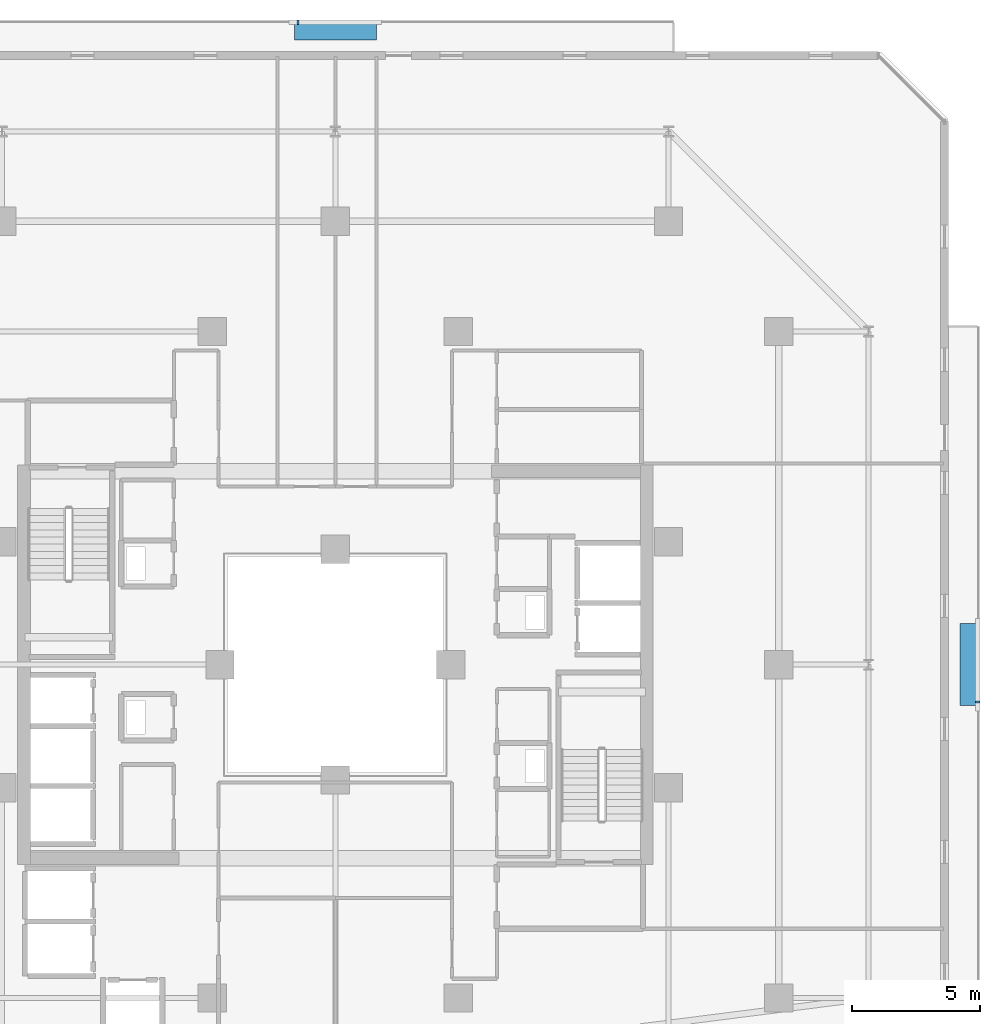
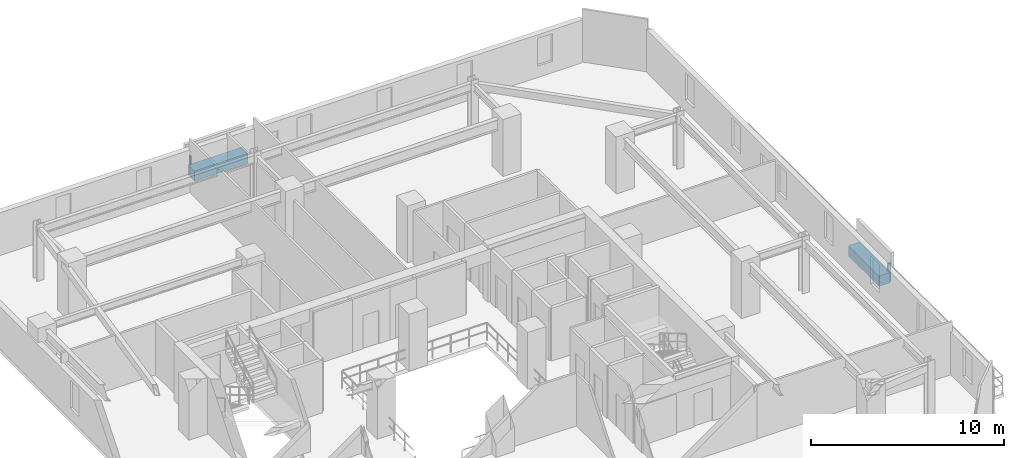
# One storey, part 29 of 33: 4 discrete accessories.
"""IFC4 building model written with IfcOpenShell, lengths in metres."""

import ifcopenshell
import ifcopenshell.guid

model = None  # the IFC model being written
_history = None  # IfcOwnerHistory: only IFC2X3 demands one
_inside = {}  # id of a spatial element -> (the spatial element, [elements in it])
_under = {}  # id of a project, library or spatial element -> (it, [spatial elements below it])
_declared = {}  # id of a project -> (the project, [libraries it declares])
_typed = {}  # id of a type object -> (the type object, [elements of that type])
_made_of = {}  # id of a material, layer set ... -> (it, [elements and type objects made of it])


def new_model(schema):
    """Start an empty IFC model of exactly this schema.

    Asked for "IFC4X3", IfcOpenShell would pick the latest addendum, in which some entities
    have other attributes; the version numbers below select the first issue.
    IFC2X3 requires an IfcOwnerHistory on every rooted entity: one is made here for all.
    """
    global model, _history
    if schema == "IFC4X3":
        model = ifcopenshell.file(schema_version=(4, 3, 0, 0))
    else:
        model = ifcopenshell.file(schema=schema)
    _inside.clear()
    _under.clear()
    _declared.clear()
    _typed.clear()
    _made_of.clear()
    _history = None
    if model.schema == "IFC2X3":
        org = make("IfcOrganization", Name="unknown")
        user = make(
            "IfcPersonAndOrganization",
            ThePerson=make("IfcPerson", FamilyName="unknown"),
            TheOrganization=org,
        )
        app = make(
            "IfcApplication",
            ApplicationDeveloper=org,
            Version="unknown",
            ApplicationFullName="unknown",
            ApplicationIdentifier="unknown",
        )
        _history = make(
            "IfcOwnerHistory",
            OwningUser=user,
            OwningApplication=app,
            ChangeAction="ADDED",
            CreationDate=0,
        )
    return model


def make(cls, **values):
    """One entity of the class cls with the attributes given. An attribute that is None is left unset."""
    return model.create_entity(
        cls, **{name: value for name, value in values.items() if value is not None}
    )


def rooted(cls, **values):
    """An entity with a GlobalId (a new one), such as an element, a storey or a relation."""
    return make(cls, GlobalId=ifcopenshell.guid.new(), OwnerHistory=_history, **values)


def si_unit(unit_type, name, prefix=None):
    """IfcSIUnit, for example si_unit("LENGTHUNIT", "METRE", prefix="MILLI")."""
    return make("IfcSIUnit", UnitType=unit_type, Prefix=prefix, Name=name)


def assignment(units):
    """IfcUnitAssignment: the units of a project."""
    return None if units is None else make("IfcUnitAssignment", Units=units)


def point(xyz):
    """IfcCartesianPoint."""
    return None if xyz is None else make("IfcCartesianPoint", Coordinates=xyz)


def direction(xyz):
    """IfcDirection."""
    return None if xyz is None else make("IfcDirection", DirectionRatios=xyz)


def frame(location, z_axis=None, x_axis=None):
    """IfcAxis2Placement3D, a coordinate frame: its origin and axes. An axis left out is left unset."""
    return make(
        "IfcAxis2Placement3D",
        Location=point(location),
        Axis=direction(z_axis),
        RefDirection=direction(x_axis),
    )


def frame_2d(location, x_axis=None):
    """IfcAxis2Placement2D, a coordinate frame in the plane: its origin and x axis."""
    return make(
        "IfcAxis2Placement2D", Location=point(location), RefDirection=direction(x_axis)
    )


def origin():
    """The frame at (0, 0, 0) with its axes left unset."""
    return frame((0.0, 0.0, 0.0))


def origin_2d():
    """The frame at (0, 0) in the plane with its x axis left unset."""
    return frame_2d((0.0, 0.0))


def place(relative_to, where):
    """IfcLocalPlacement: puts the frame where relative to a parent placement (None: the world)."""
    return make(
        "IfcLocalPlacement", PlacementRelTo=relative_to, RelativePlacement=where
    )


def context(
    kind, dimensions, precision=None, world=None, true_north=None, identifier=None
):
    """IfcGeometricRepresentationContext, for example the 3D "Model" context."""
    return make(
        "IfcGeometricRepresentationContext",
        ContextIdentifier=identifier,
        ContextType=kind,
        CoordinateSpaceDimension=dimensions,
        Precision=precision,
        WorldCoordinateSystem=world,
        TrueNorth=true_north,
    )


def subcontext(parent, identifier, kind, view, scale=None):
    """IfcGeometricRepresentationSubContext, for example "Body" below "Model"."""
    return make(
        "IfcGeometricRepresentationSubContext",
        ContextIdentifier=identifier,
        ContextType=kind,
        ParentContext=parent,
        TargetScale=scale,
        TargetView=view,
    )


def project(units=None, contexts=None):
    """IfcProject with its units and contexts."""
    return rooted(
        "IfcProject",
        Name="project",
        RepresentationContexts=contexts,
        UnitsInContext=assignment(units),
    )


def spatial(cls, under=None, at=None, **own):
    """A site, building, storey or space (cls), placed at a placement, below another one or the project."""
    s = rooted(cls, ObjectPlacement=at, **own)
    if under is not None:
        _under.setdefault(under.id(), (under, []))[1].append(s)
    return s


def profile(cls, at=None, kind="AREA", **sizes):
    """A parametric profile (cls). Its sizes go by their IFC names, for example OverallWidth=200.0."""
    return make(cls, ProfileType=kind, Position=at, **sizes)


def rectangle(**sizes):
    """IfcRectangleProfileDef."""
    return profile("IfcRectangleProfileDef", **sizes)


def extrude(swept, where, along, depth):
    """IfcExtrudedAreaSolid: the profile swept, set in the frame where, extruded along a direction by depth."""
    return make(
        "IfcExtrudedAreaSolid",
        SweptArea=swept,
        Position=where,
        ExtrudedDirection=direction(along),
        Depth=depth,
    )


def shape(context_of_items, identifier, shape_type, items):
    """IfcShapeRepresentation: the items that make up one representation, for example the "Body"."""
    return make(
        "IfcShapeRepresentation",
        ContextOfItems=context_of_items,
        RepresentationIdentifier=identifier,
        RepresentationType=shape_type,
        Items=items,
    )


def material(Name=None, Category=None):
    """IfcMaterial."""
    return make("IfcMaterial", Name=Name, Category=Category)


def made_of(thing, what):
    """Note that an element or type object is made of a material, layer set ...; save() writes the relation."""
    if what is not None:
        _made_of.setdefault(what.id(), (what, []))[1].append(thing)
    return thing


def type_object(cls, material=None, **own):
    """A type object (cls), such as IfcWallType, which elements share."""
    return made_of(rooted(cls, **own), material)


def element(
    cls,
    number,
    at=None,
    inside=None,
    cuts=None,
    type_object=None,
    material=None,
    context=None,
    identifier="Body",
    shape_type=None,
    held_by="IfcProductDefinitionShape",
    body=None,
    shapes=None,
    **own,
):
    """One element of the class cls, such as IfcWall. Its Tag is "e" and its number.

    at: its placement. inside: the storey or other place that contains it. cuts: it is an
    opening in that element (IfcRelVoidsElement). A single representation is given by context,
    identifier, shape_type and body (its items); several are given by shapes. held_by: the class
    of the entity that holds the representations. save() writes the other relations.
    """
    e = rooted(cls, Tag="e%d" % number, ObjectPlacement=at, **own)
    if body is not None:
        shapes = [shape(context, identifier, shape_type, body)]
    if shapes is not None:
        e.Representation = make(held_by, Representations=shapes)
    if inside is not None:
        _inside.setdefault(inside.id(), (inside, []))[1].append(e)
    if cuts is not None:
        rooted(
            "IfcRelVoidsElement", RelatingBuildingElement=cuts, RelatedOpeningElement=e
        )
    if type_object is not None:
        _typed.setdefault(type_object.id(), (type_object, []))[1].append(e)
    return made_of(e, material)


def aggregate(whole, parts):
    """IfcRelAggregates: a whole, such as a stair, and the parts it consists of."""
    return rooted("IfcRelAggregates", RelatingObject=whole, RelatedObjects=parts)


def save(model, path):
    """Write the relations noted so far, then the file.

    IfcRelAggregates (storeys below a building ...), IfcRelContainedInSpatialStructure (elements
    in a storey), IfcRelDefinesByType, IfcRelAssociatesMaterial and IfcRelDeclares: one each for
    every whole, place, type object, material and project.
    """
    for whole, parts in _under.values():
        aggregate(whole, parts)
    for where, things in _inside.values():
        rooted(
            "IfcRelContainedInSpatialStructure",
            RelatedElements=things,
            RelatingStructure=where,
        )
    for kind, things in _typed.values():
        rooted("IfcRelDefinesByType", RelatedObjects=things, RelatingType=kind)
    for what, things in _made_of.values():
        rooted("IfcRelAssociatesMaterial", RelatedObjects=things, RelatingMaterial=what)
    for by, libraries in _declared.values():
        rooted("IfcRelDeclares", RelatingContext=by, RelatedDefinitions=libraries)
    model.write(path)


model = new_model("IFC4")

# Units and contexts
model_context = context("Model", 3, precision=1e-05, world=origin(), true_north=direction((0.0, 1.0)))
body_context = subcontext(model_context, "Body", "Model", "MODEL_VIEW")
ifc_project = project(units=[si_unit("LENGTHUNIT", "METRE"), si_unit("AREAUNIT", "SQUARE_METRE"), si_unit("VOLUMEUNIT", "CUBIC_METRE"), si_unit("PLANEANGLEUNIT", "RADIAN"), si_unit("MASSUNIT", "GRAM", prefix="KILO")], contexts=[model_context])

# Site, building, storey
site_placement = place(None, origin())
site = spatial("IfcSite", under=ifc_project, at=site_placement, CompositionType="ELEMENT")
building_placement = place(site_placement, origin())
building = spatial("IfcBuilding", under=site, at=building_placement, Name="Thornwick Lancets Civic Towers", CompositionType="ELEMENT")
storey_placement = place(building_placement, frame((0.0, 0.0, 159.89990234375)))
storey = spatial("IfcBuildingStorey", under=building, at=storey_placement, Name="L42", CompositionType="ELEMENT", Elevation=159.89990234375)

# Discrete accessories
ifc_material_1 = material(Name="Planted terracotta greenery planter", Category="masonry")
discrete_accessory_type_1 = type_object("IfcDiscreteAccessoryType", Name="ACC_PLANTER_BOX", PredefinedType="USERDEFINED", material=ifc_material_1)
discrete_accessory_1_placement = place(storey_placement, frame((113.199951171875, 27.0, 0.000244140625), z_axis=(0.0, 0.0, 1.0), x_axis=(1.0, 0.0, 0.0)))
element("IfcDiscreteAccessory", 1, at=discrete_accessory_1_placement, inside=storey, type_object=discrete_accessory_type_1, Name="L42 Tower B Balcony Greenery Planter E", ObjectType="PLANTER", PredefinedType="USERDEFINED", context=body_context, shape_type="SweptSolid", body=[
    extrude(rectangle(XDim=0.64990234375, YDim=3.199951171875, at=origin_2d()), origin(), (0.0, 0.0, 1.0), 0.64990234375),
])
discrete_accessory_2_placement = place(storey_placement, frame((88.5, 51.699951171875, 0.000244140625), z_axis=(0.0, 0.0, 1.0), x_axis=(1.0, 0.0, 0.0)))
element("IfcDiscreteAccessory", 2, at=discrete_accessory_2_placement, inside=storey, type_object=discrete_accessory_type_1, Name="L42 Tower B Balcony Greenery Planter N", ObjectType="PLANTER", PredefinedType="USERDEFINED", context=body_context, shape_type="SweptSolid", body=[
    extrude(rectangle(XDim=3.199951171875, YDim=0.64990234375, at=origin_2d()), origin(), (0.0, 0.0, 1.0), 0.64990234375),
])
ifc_material_2 = material(Name="Stainless steel S355", Category="steel")
discrete_accessory_type_2 = type_object("IfcDiscreteAccessoryType", Name="ACC_SCREEN_BRACKET", PredefinedType="BRACKET", material=ifc_material_2)
for number, where, z_axis, x_axis, name in (
    (3, (113.56005859375, 25.550048828125, 0.000244140625), (0.0, 0.0, 1.0), (0.0, 1.0, 0.0), "L42 Tower B Balcony Screen Stanchion Bracket E-1"),
    (4, (87.050048828125, 52.06005859375, 0.000244140625), (0.0, 0.0, 1.0), (1.0, 0.0, 0.0), "L42 Tower B Balcony Screen Stanchion Bracket N-1"),
):
    element("IfcDiscreteAccessory", number, at=place(storey_placement, frame(where, z_axis=z_axis, x_axis=x_axis)), inside=storey, type_object=discrete_accessory_type_2, Name=name, PredefinedType="BRACKET", context=body_context, shape_type="SweptSolid", body=[
        extrude(rectangle(XDim=0.080078125, YDim=0.179931640625, at=origin_2d()), origin(), (0.0, 0.0, 1.0), 1.14990234375),
    ])

save(model, "model.ifc")
